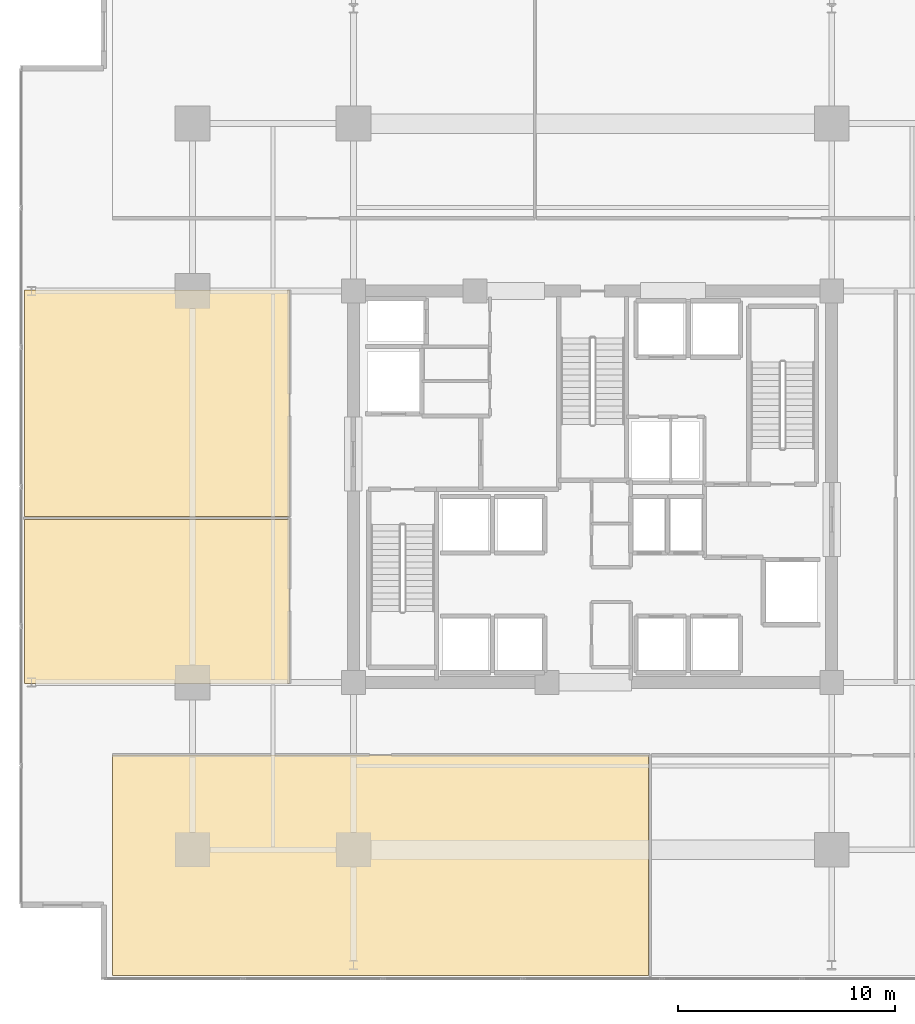
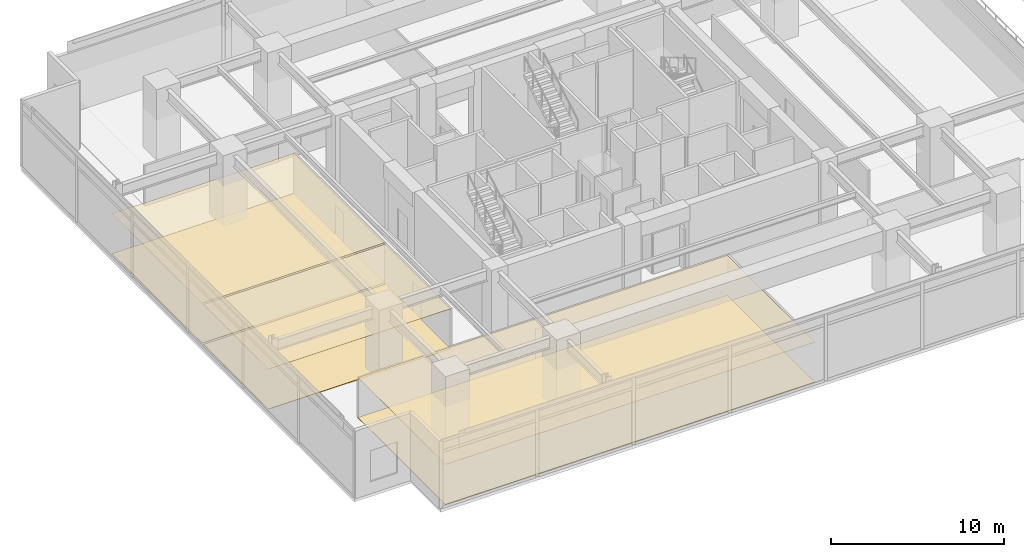
# One storey, part 16 of 20: 6 coverings.
"""IFC4 building model written with IfcOpenShell, lengths in metres."""

from ifc_helpers import new_model, si_unit, direction, frame, origin, place, context, subcontext, project, spatial, polyline, outline, extrude, material, layer, layer_set, type_object, element, save


model = new_model("IFC4")

# Units and contexts
model_context = context("Model", 3, precision=1e-05, world=origin(), true_north=direction((0.0, 1.0)))
body_context = subcontext(model_context, "Body", "Model", "MODEL_VIEW")
ifc_project = project(units=[si_unit("LENGTHUNIT", "METRE"), si_unit("AREAUNIT", "SQUARE_METRE"), si_unit("VOLUMEUNIT", "CUBIC_METRE"), si_unit("PLANEANGLEUNIT", "RADIAN"), si_unit("MASSUNIT", "GRAM", prefix="KILO")], contexts=[model_context])

# Site, building, storey
site_placement = place(None, origin())
site = spatial("IfcSite", under=ifc_project, at=site_placement, CompositionType="ELEMENT")
building_placement = place(site_placement, origin())
building = spatial("IfcBuilding", under=site, at=building_placement, Name="Kovane Verandah Tower", CompositionType="ELEMENT")
storey_placement = place(building_placement, frame((0.0, 0.0, 123.39990234375)))
storey = spatial("IfcBuildingStorey", under=building, at=storey_placement, Name="L28", CompositionType="ELEMENT", Elevation=123.39990234375)

# Coverings
ifc_material_1 = material(Name="Perforated Acoustic Mineral-Fibre Ceiling Tile", Category="gypsum")
ifc_layer_1 = layer(ifc_material_1, 0.02490234375)
ifc_layer_set_1 = layer_set([ifc_layer_1], Name="Perforated Acoustic Mineral-Fibre Ceiling Tile")
covering_type_1 = type_object("IfcCoveringType", Name="CV-CEIL-25", PredefinedType="CEILING", material=ifc_layer_set_1)
covering_1_placement = place(storey_placement, frame((0.0, 0.0, 2.8251953125)))
element("IfcCovering", 1, at=covering_1_placement, inside=storey, type_object=covering_type_1, Name="L28 Meeting Room S1 Acoustic Ceiling", PredefinedType="CEILING", context=body_context, shape_type="SweptSolid", body=[
    extrude(outline(polyline([(17.915283203125, 5.0107421875), (42.580078125, 5.0107421875), (42.580078125, 15.14990234375), (17.915283203125, 15.14990234375), (17.915283203125, 5.0107421875)])), origin(), (0.0, 0.0, 1.0), 0.02490234375),
])
covering_2_placement = place(storey_placement, frame((0.0, 0.0, 2.8251953125)))
element("IfcCovering", 2, at=covering_2_placement, inside=storey, type_object=covering_type_1, Name="L28 Breakout Pantry W1 Acoustic Ceiling", PredefinedType="CEILING", context=body_context, shape_type="SweptSolid", body=[
    extrude(outline(polyline([(13.865478515625, 18.449951171875), (26.050048828125, 18.449951171875), (26.050048828125, 25.98193359375), (13.865478515625, 25.98193359375), (13.865478515625, 18.449951171875)])), origin(), (0.0, 0.0, 1.0), 0.02490234375),
])
covering_3_placement = place(storey_placement, frame((0.0, 0.0, 2.8251953125)))
element("IfcCovering", 3, at=covering_3_placement, inside=storey, type_object=covering_type_1, Name="L28 Collaboration Hub W2 Acoustic Ceiling", PredefinedType="CEILING", context=body_context, shape_type="SweptSolid", body=[
    extrude(outline(polyline([(13.865478515625, 26.1220703125), (26.050048828125, 26.1220703125), (26.050048828125, 36.550048828125), (13.865478515625, 36.550048828125), (13.865478515625, 26.1220703125)])), origin(), (0.0, 0.0, 1.0), 0.02490234375),
])
ifc_material_2 = material(Name="Polished Terrazzo and Raised-Access Carpet Tile Finish", Category="concrete")
ifc_layer_2 = layer(ifc_material_2, 0.030029296875)
ifc_layer_set_2 = layer_set([ifc_layer_2], Name="Polished Terrazzo and Raised-Access Carpet Tile Finish")
covering_type_2 = type_object("IfcCoveringType", Name="CV-FLOR-30", PredefinedType="FLOORING", material=ifc_layer_set_2)
covering_4_placement = place(storey_placement, origin())
element("IfcCovering", 4, at=covering_4_placement, inside=storey, type_object=covering_type_2, Name="L28 Meeting Room S1 Floor Finish", PredefinedType="FLOORING", context=body_context, shape_type="SweptSolid", body=[
    extrude(outline(polyline([(17.915283203125, 5.0107421875), (42.580078125, 5.0107421875), (42.580078125, 15.14990234375), (17.915283203125, 15.14990234375), (17.915283203125, 5.0107421875)])), origin(), (0.0, 0.0, 1.0), 0.030029296875),
])
covering_5_placement = place(storey_placement, origin())
element("IfcCovering", 5, at=covering_5_placement, inside=storey, type_object=covering_type_2, Name="L28 Breakout Pantry W1 Floor Finish", PredefinedType="FLOORING", context=body_context, shape_type="SweptSolid", body=[
    extrude(outline(polyline([(13.865478515625, 18.449951171875), (26.050048828125, 18.449951171875), (26.050048828125, 25.98193359375), (13.865478515625, 25.98193359375), (13.865478515625, 18.449951171875)])), origin(), (0.0, 0.0, 1.0), 0.030029296875),
])
covering_6_placement = place(storey_placement, origin())
element("IfcCovering", 6, at=covering_6_placement, inside=storey, type_object=covering_type_2, Name="L28 Collaboration Hub W2 Floor Finish", PredefinedType="FLOORING", context=body_context, shape_type="SweptSolid", body=[
    extrude(outline(polyline([(13.865478515625, 26.1220703125), (26.050048828125, 26.1220703125), (26.050048828125, 36.550048828125), (13.865478515625, 36.550048828125), (13.865478515625, 26.1220703125)])), origin(), (0.0, 0.0, 1.0), 0.030029296875),
])

save(model, "model.ifc")
